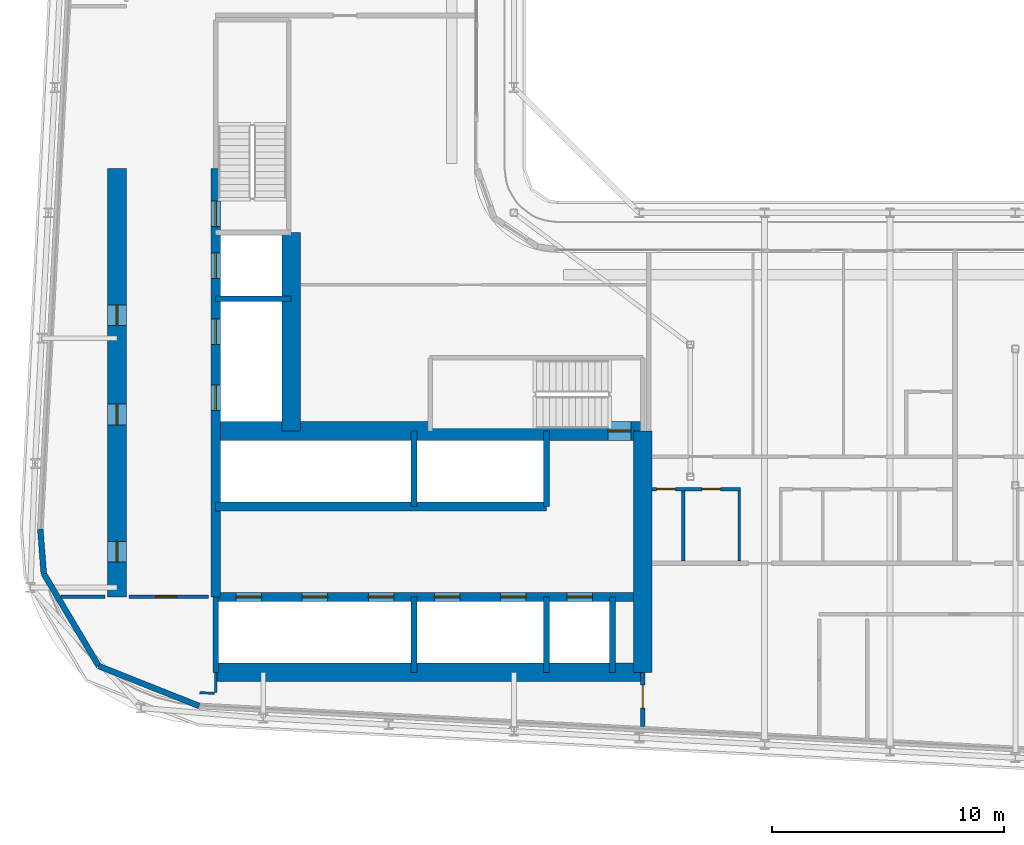
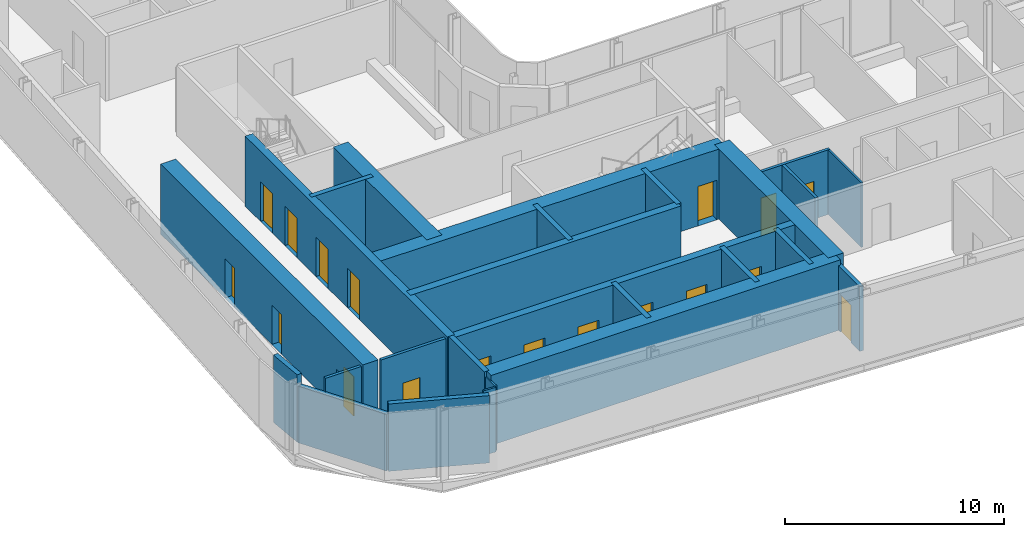
# One storey, part 15 of 30: 26 walls, 18 doors, 18 openings.
"""IFC4 building model written with IfcOpenShell, lengths in metres."""

import ifcopenshell
import ifcopenshell.guid

model = None  # the IFC model being written
_history = None  # IfcOwnerHistory: only IFC2X3 demands one
_inside = {}  # id of a spatial element -> (the spatial element, [elements in it])
_under = {}  # id of a project, library or spatial element -> (it, [spatial elements below it])
_declared = {}  # id of a project -> (the project, [libraries it declares])
_typed = {}  # id of a type object -> (the type object, [elements of that type])
_made_of = {}  # id of a material, layer set ... -> (it, [elements and type objects made of it])


def new_model(schema):
    """Start an empty IFC model of exactly this schema.

    Asked for "IFC4X3", IfcOpenShell would pick the latest addendum, in which some entities
    have other attributes; the version numbers below select the first issue.
    IFC2X3 requires an IfcOwnerHistory on every rooted entity: one is made here for all.
    """
    global model, _history
    if schema == "IFC4X3":
        model = ifcopenshell.file(schema_version=(4, 3, 0, 0))
    else:
        model = ifcopenshell.file(schema=schema)
    _inside.clear()
    _under.clear()
    _declared.clear()
    _typed.clear()
    _made_of.clear()
    _history = None
    if model.schema == "IFC2X3":
        org = make("IfcOrganization", Name="unknown")
        user = make(
            "IfcPersonAndOrganization",
            ThePerson=make("IfcPerson", FamilyName="unknown"),
            TheOrganization=org,
        )
        app = make(
            "IfcApplication",
            ApplicationDeveloper=org,
            Version="unknown",
            ApplicationFullName="unknown",
            ApplicationIdentifier="unknown",
        )
        _history = make(
            "IfcOwnerHistory",
            OwningUser=user,
            OwningApplication=app,
            ChangeAction="ADDED",
            CreationDate=0,
        )
    return model


def make(cls, **values):
    """One entity of the class cls with the attributes given. An attribute that is None is left unset."""
    return model.create_entity(
        cls, **{name: value for name, value in values.items() if value is not None}
    )


def rooted(cls, **values):
    """An entity with a GlobalId (a new one), such as an element, a storey or a relation."""
    return make(cls, GlobalId=ifcopenshell.guid.new(), OwnerHistory=_history, **values)


def si_unit(unit_type, name, prefix=None):
    """IfcSIUnit, for example si_unit("LENGTHUNIT", "METRE", prefix="MILLI")."""
    return make("IfcSIUnit", UnitType=unit_type, Prefix=prefix, Name=name)


def assignment(units):
    """IfcUnitAssignment: the units of a project."""
    return None if units is None else make("IfcUnitAssignment", Units=units)


def point(xyz):
    """IfcCartesianPoint."""
    return None if xyz is None else make("IfcCartesianPoint", Coordinates=xyz)


def direction(xyz):
    """IfcDirection."""
    return None if xyz is None else make("IfcDirection", DirectionRatios=xyz)


def frame(location, z_axis=None, x_axis=None):
    """IfcAxis2Placement3D, a coordinate frame: its origin and axes. An axis left out is left unset."""
    return make(
        "IfcAxis2Placement3D",
        Location=point(location),
        Axis=direction(z_axis),
        RefDirection=direction(x_axis),
    )


def frame_2d(location, x_axis=None):
    """IfcAxis2Placement2D, a coordinate frame in the plane: its origin and x axis."""
    return make(
        "IfcAxis2Placement2D", Location=point(location), RefDirection=direction(x_axis)
    )


def origin():
    """The frame at (0, 0, 0) with its axes left unset."""
    return frame((0.0, 0.0, 0.0))


def place(relative_to, where):
    """IfcLocalPlacement: puts the frame where relative to a parent placement (None: the world)."""
    return make(
        "IfcLocalPlacement", PlacementRelTo=relative_to, RelativePlacement=where
    )


def context(
    kind, dimensions, precision=None, world=None, true_north=None, identifier=None
):
    """IfcGeometricRepresentationContext, for example the 3D "Model" context."""
    return make(
        "IfcGeometricRepresentationContext",
        ContextIdentifier=identifier,
        ContextType=kind,
        CoordinateSpaceDimension=dimensions,
        Precision=precision,
        WorldCoordinateSystem=world,
        TrueNorth=true_north,
    )


def subcontext(parent, identifier, kind, view, scale=None):
    """IfcGeometricRepresentationSubContext, for example "Body" below "Model"."""
    return make(
        "IfcGeometricRepresentationSubContext",
        ContextIdentifier=identifier,
        ContextType=kind,
        ParentContext=parent,
        TargetScale=scale,
        TargetView=view,
    )


def project(units=None, contexts=None):
    """IfcProject with its units and contexts."""
    return rooted(
        "IfcProject",
        Name="project",
        RepresentationContexts=contexts,
        UnitsInContext=assignment(units),
    )


def spatial(cls, under=None, at=None, **own):
    """A site, building, storey or space (cls), placed at a placement, below another one or the project."""
    s = rooted(cls, ObjectPlacement=at, **own)
    if under is not None:
        _under.setdefault(under.id(), (under, []))[1].append(s)
    return s


def profile(cls, at=None, kind="AREA", **sizes):
    """A parametric profile (cls). Its sizes go by their IFC names, for example OverallWidth=200.0."""
    return make(cls, ProfileType=kind, Position=at, **sizes)


def rectangle(**sizes):
    """IfcRectangleProfileDef."""
    return profile("IfcRectangleProfileDef", **sizes)


def extrude(swept, where, along, depth):
    """IfcExtrudedAreaSolid: the profile swept, set in the frame where, extruded along a direction by depth."""
    return make(
        "IfcExtrudedAreaSolid",
        SweptArea=swept,
        Position=where,
        ExtrudedDirection=direction(along),
        Depth=depth,
    )


def shape(context_of_items, identifier, shape_type, items):
    """IfcShapeRepresentation: the items that make up one representation, for example the "Body"."""
    return make(
        "IfcShapeRepresentation",
        ContextOfItems=context_of_items,
        RepresentationIdentifier=identifier,
        RepresentationType=shape_type,
        Items=items,
    )


def source(mapping_origin, context_of_items, identifier, shape_type, items):
    """IfcRepresentationMap: a shape defined once, which mapped items show again and again."""
    return make(
        "IfcRepresentationMap",
        MappingOrigin=mapping_origin,
        MappedRepresentation=shape(context_of_items, identifier, shape_type, items),
    )


def transform(
    local_origin,
    x_axis=None,
    y_axis=None,
    z_axis=None,
    scale=None,
    scale2=None,
    scale3=None,
    uniform=True,
):
    """IfcCartesianTransformationOperator3D, or its non-uniform kind. x_axis, y_axis, z_axis: its Axis1, 2, 3."""
    if uniform:
        return make(
            "IfcCartesianTransformationOperator3D",
            Axis1=direction(x_axis),
            Axis2=direction(y_axis),
            LocalOrigin=point(local_origin),
            Scale=scale,
            Axis3=direction(z_axis),
        )
    return make(
        "IfcCartesianTransformationOperator3DnonUniform",
        Axis1=direction(x_axis),
        Axis2=direction(y_axis),
        LocalOrigin=point(local_origin),
        Scale=scale,
        Axis3=direction(z_axis),
        Scale2=scale2,
        Scale3=scale3,
    )


def mapped(mapping_source, mapping_target):
    """IfcMappedItem: shows the shape of a source again, moved by a transform."""
    return make(
        "IfcMappedItem", MappingSource=mapping_source, MappingTarget=mapping_target
    )


def material(Name=None, Category=None):
    """IfcMaterial."""
    return make("IfcMaterial", Name=Name, Category=Category)


def layer(
    of_material, thickness, ventilated=None, Name=None, Category=None, Priority=None
):
    """IfcMaterialLayer: one layer of a wall or slab, of a material (None: an air gap)."""
    return make(
        "IfcMaterialLayer",
        Material=of_material,
        LayerThickness=thickness,
        IsVentilated=ventilated,
        Name=Name,
        Category=Category,
        Priority=Priority,
    )


def layer_set(layers, Name=None):
    """IfcMaterialLayerSet."""
    return make("IfcMaterialLayerSet", MaterialLayers=layers, LayerSetName=Name)


def made_of(thing, what):
    """Note that an element or type object is made of a material, layer set ...; save() writes the relation."""
    if what is not None:
        _made_of.setdefault(what.id(), (what, []))[1].append(thing)
    return thing


def type_object(cls, material=None, **own):
    """A type object (cls), such as IfcWallType, which elements share."""
    return made_of(rooted(cls, **own), material)


def element(
    cls,
    number,
    at=None,
    inside=None,
    cuts=None,
    type_object=None,
    material=None,
    context=None,
    identifier="Body",
    shape_type=None,
    held_by="IfcProductDefinitionShape",
    body=None,
    shapes=None,
    **own,
):
    """One element of the class cls, such as IfcWall. Its Tag is "e" and its number.

    at: its placement. inside: the storey or other place that contains it. cuts: it is an
    opening in that element (IfcRelVoidsElement). A single representation is given by context,
    identifier, shape_type and body (its items); several are given by shapes. held_by: the class
    of the entity that holds the representations. save() writes the other relations.
    """
    e = rooted(cls, Tag="e%d" % number, ObjectPlacement=at, **own)
    if body is not None:
        shapes = [shape(context, identifier, shape_type, body)]
    if shapes is not None:
        e.Representation = make(held_by, Representations=shapes)
    if inside is not None:
        _inside.setdefault(inside.id(), (inside, []))[1].append(e)
    if cuts is not None:
        rooted(
            "IfcRelVoidsElement", RelatingBuildingElement=cuts, RelatedOpeningElement=e
        )
    if type_object is not None:
        _typed.setdefault(type_object.id(), (type_object, []))[1].append(e)
    return made_of(e, material)


def fill(opening, filler):
    """IfcRelFillsElement: the door or window that sits in an opening."""
    return rooted(
        "IfcRelFillsElement",
        RelatingOpeningElement=opening,
        RelatedBuildingElement=filler,
    )


def aggregate(whole, parts):
    """IfcRelAggregates: a whole, such as a stair, and the parts it consists of."""
    return rooted("IfcRelAggregates", RelatingObject=whole, RelatedObjects=parts)


def save(model, path):
    """Write the relations noted so far, then the file.

    IfcRelAggregates (storeys below a building ...), IfcRelContainedInSpatialStructure (elements
    in a storey), IfcRelDefinesByType, IfcRelAssociatesMaterial and IfcRelDeclares: one each for
    every whole, place, type object, material and project.
    """
    for whole, parts in _under.values():
        aggregate(whole, parts)
    for where, things in _inside.values():
        rooted(
            "IfcRelContainedInSpatialStructure",
            RelatedElements=things,
            RelatingStructure=where,
        )
    for kind, things in _typed.values():
        rooted("IfcRelDefinesByType", RelatedObjects=things, RelatingType=kind)
    for what, things in _made_of.values():
        rooted("IfcRelAssociatesMaterial", RelatedObjects=things, RelatingMaterial=what)
    for by, libraries in _declared.values():
        rooted("IfcRelDeclares", RelatingContext=by, RelatedDefinitions=libraries)
    model.write(path)


model = new_model("IFC4")

# Units and contexts
model_context = context("Model", 3, precision=1e-05, world=origin(), true_north=direction((0.0, 1.0)))
body_context = subcontext(model_context, "Body", "Model", "MODEL_VIEW")
ifc_project = project(units=[si_unit("LENGTHUNIT", "METRE"), si_unit("AREAUNIT", "SQUARE_METRE"), si_unit("VOLUMEUNIT", "CUBIC_METRE"), si_unit("PLANEANGLEUNIT", "RADIAN"), si_unit("MASSUNIT", "GRAM", prefix="KILO")], contexts=[model_context])

# Site, building, storey
site_placement = place(None, origin())
site = spatial("IfcSite", under=ifc_project, at=site_placement, CompositionType="ELEMENT")
building_placement = place(site_placement, origin())
building = spatial("IfcBuilding", under=site, at=building_placement, Name="Kheshtan School and Residences Tower", CompositionType="ELEMENT")
storey_placement = place(building_placement, frame((0.0, 0.0, 164.300048828125)))
storey = spatial("IfcBuildingStorey", under=building, at=storey_placement, Name="L38", CompositionType="ELEMENT", Elevation=164.300048828125)

# Wall, openings, doors
ifc_material_1 = material(Name="Concrete C50/60", Category="concrete")
ifc_layer_1 = layer(ifc_material_1, 0.39990234375)
ifc_layer_set_1 = layer_set([ifc_layer_1], Name="Core wall 400 Concrete C50/60")
wall_type_1 = type_object("IfcWallType", Name="Core wall 400 Concrete C50/60", PredefinedType="SHEAR", material=ifc_layer_set_1)
wall_1_placement = place(storey_placement, frame((34.75, 29.050048828125, 0.0), z_axis=(0.0, 0.0, 1.0), x_axis=(1.0, 0.0, 0.0)))
wall_1 = element("IfcWall", 1, at=wall_1_placement, inside=storey, type_object=wall_type_1, Name="Core wall CW-HALL-S1", PredefinedType="SHEAR", context=body_context, shape_type="SweptSolid", body=[
    extrude(rectangle(XDim=18.39990234375, YDim=0.39990234375, at=frame_2d((9.199951171875, 0.0))), origin(), (0.0, 0.0, 1.0), 3.89990234375),
])
opening_1_placement = place(wall_1_placement, frame((0.875, 0.0, 0.0)))
opening_1 = element("IfcOpeningElement", 2, at=opening_1_placement, cuts=wall_1, Name="Opening LD", PredefinedType="OPENING", context=body_context, shape_type="SweptSolid", body=[
    extrude(rectangle(XDim=1.10009765625, YDim=2.199951171875, at=frame_2d((0.550048828125, 1.10009765625))), frame((0.0, 0.2099609375, 0.0), z_axis=(0.0, -1.0, 0.0), x_axis=(1.0, 0.0, 0.0)), (0.0, 0.0, 1.0), 0.419921875),
])
opening_2_placement = place(wall_1_placement, frame((3.72509765625, 0.0, 0.0)))
opening_2 = element("IfcOpeningElement", 3, at=opening_2_placement, cuts=wall_1, Name="Opening LD", PredefinedType="OPENING", context=body_context, shape_type="SweptSolid", body=[
    extrude(rectangle(XDim=1.10009765625, YDim=2.199951171875, at=frame_2d((0.550048828125, 1.10009765625))), frame((0.0, 0.2099609375, 0.0), z_axis=(0.0, -1.0, 0.0), x_axis=(1.0, 0.0, 0.0)), (0.0, 0.0, 1.0), 0.419921875),
])
opening_3_placement = place(wall_1_placement, frame((6.574951171875, 0.0, 0.0)))
opening_3 = element("IfcOpeningElement", 4, at=opening_3_placement, cuts=wall_1, Name="Opening LD", PredefinedType="OPENING", context=body_context, shape_type="SweptSolid", body=[
    extrude(rectangle(XDim=1.10009765625, YDim=2.199951171875, at=frame_2d((0.550048828125, 1.10009765625))), frame((0.0, 0.2099609375, 0.0), z_axis=(0.0, -1.0, 0.0), x_axis=(1.0, 0.0, 0.0)), (0.0, 0.0, 1.0), 0.419921875),
])
opening_4_placement = place(wall_1_placement, frame((9.425048828125, 0.0, 0.0)))
opening_4 = element("IfcOpeningElement", 5, at=opening_4_placement, cuts=wall_1, Name="Opening LD", PredefinedType="OPENING", context=body_context, shape_type="SweptSolid", body=[
    extrude(rectangle(XDim=1.10009765625, YDim=2.199951171875, at=frame_2d((0.550048828125, 1.10009765625))), frame((0.0, 0.2099609375, 0.0), z_axis=(0.0, -1.0, 0.0), x_axis=(1.0, 0.0, 0.0)), (0.0, 0.0, 1.0), 0.419921875),
])
opening_5_placement = place(wall_1_placement, frame((12.27490234375, 0.0, 0.0)))
opening_5 = element("IfcOpeningElement", 6, at=opening_5_placement, cuts=wall_1, Name="Opening LD", PredefinedType="OPENING", context=body_context, shape_type="SweptSolid", body=[
    extrude(rectangle(XDim=1.10009765625, YDim=2.199951171875, at=frame_2d((0.550048828125, 1.10009765625))), frame((0.0, 0.2099609375, 0.0), z_axis=(0.0, -1.0, 0.0), x_axis=(1.0, 0.0, 0.0)), (0.0, 0.0, 1.0), 0.419921875),
])
opening_6_placement = place(wall_1_placement, frame((15.125, 0.0, 0.0)))
opening_6 = element("IfcOpeningElement", 7, at=opening_6_placement, cuts=wall_1, Name="Opening LD", PredefinedType="OPENING", context=body_context, shape_type="SweptSolid", body=[
    extrude(rectangle(XDim=1.10009765625, YDim=2.199951171875, at=frame_2d((0.550048828125, 1.10009765625))), frame((0.0, 0.2099609375, 0.0), z_axis=(0.0, -1.0, 0.0), x_axis=(1.0, 0.0, 0.0)), (0.0, 0.0, 1.0), 0.419921875),
])
ifc_material_2 = material(Name="Stainless steel door leaves", Category="steel")
door_type_1 = type_object("IfcDoorType", Name="Lift landing door 1100", OperationType="SLIDING_TO_LEFT", PredefinedType="DOOR", material=ifc_material_2)
shared_shape_1 = source(origin(), body_context, "Body", "SweptSolid", [
    extrude(rectangle(XDim=1.10009765625, YDim=2.199951171875, at=frame_2d((0.550048828125, 1.10009765625))), frame((0.0, 0.02490234375, 0.0), z_axis=(0.0, -1.0, 0.0), x_axis=(1.0, 0.0, 0.0)), (0.0, 0.0, 1.0), 0.050048828125),
])
door_1_placement = place(opening_1_placement, origin())
door_1 = element("IfcDoor", 8, at=door_1_placement, inside=storey, type_object=door_type_1, Name="Lift P7 landing door", OperationType="SLIDING_TO_LEFT", OverallHeight=2.199951171875, OverallWidth=1.10009765625, PredefinedType="DOOR", context=body_context, shape_type="MappedRepresentation", body=[
    mapped(shared_shape_1, transform((0.0, 0.0, 0.0), x_axis=(1.0, 0.0, 0.0), y_axis=(0.0, 1.0, 0.0), z_axis=(0.0, 0.0, 1.0), scale=1.0)),
])
fill(opening_1, door_1)
door_2_placement = place(opening_2_placement, origin())
door_2 = element("IfcDoor", 9, at=door_2_placement, inside=storey, type_object=door_type_1, Name="Lift P8 landing door", OperationType="SLIDING_TO_LEFT", OverallHeight=2.199951171875, OverallWidth=1.10009765625, PredefinedType="DOOR", context=body_context, shape_type="MappedRepresentation", body=[
    mapped(shared_shape_1, transform((0.0, 0.0, 0.0), x_axis=(1.0, 0.0, 0.0), y_axis=(0.0, 1.0, 0.0), z_axis=(0.0, 0.0, 1.0), scale=1.0)),
])
fill(opening_2, door_2)
door_3_placement = place(opening_3_placement, origin())
door_3 = element("IfcDoor", 10, at=door_3_placement, inside=storey, type_object=door_type_1, Name="Lift P9 landing door", OperationType="SLIDING_TO_LEFT", OverallHeight=2.199951171875, OverallWidth=1.10009765625, PredefinedType="DOOR", context=body_context, shape_type="MappedRepresentation", body=[
    mapped(shared_shape_1, transform((0.0, 0.0, 0.0), x_axis=(1.0, 0.0, 0.0), y_axis=(0.0, 1.0, 0.0), z_axis=(0.0, 0.0, 1.0), scale=1.0)),
])
fill(opening_3, door_3)
door_4_placement = place(opening_4_placement, origin())
door_4 = element("IfcDoor", 11, at=door_4_placement, inside=storey, type_object=door_type_1, Name="Lift P10 landing door", OperationType="SLIDING_TO_LEFT", OverallHeight=2.199951171875, OverallWidth=1.10009765625, PredefinedType="DOOR", context=body_context, shape_type="MappedRepresentation", body=[
    mapped(shared_shape_1, transform((0.0, 0.0, 0.0), x_axis=(1.0, 0.0, 0.0), y_axis=(0.0, 1.0, 0.0), z_axis=(0.0, 0.0, 1.0), scale=1.0)),
])
fill(opening_4, door_4)
door_5_placement = place(opening_5_placement, origin())
door_5 = element("IfcDoor", 12, at=door_5_placement, inside=storey, type_object=door_type_1, Name="Lift P11 landing door", OperationType="SLIDING_TO_LEFT", OverallHeight=2.199951171875, OverallWidth=1.10009765625, PredefinedType="DOOR", context=body_context, shape_type="MappedRepresentation", body=[
    mapped(shared_shape_1, transform((0.0, 0.0, 0.0), x_axis=(1.0, 0.0, 0.0), y_axis=(0.0, 1.0, 0.0), z_axis=(0.0, 0.0, 1.0), scale=1.0)),
])
fill(opening_5, door_5)
door_6_placement = place(opening_6_placement, origin())
door_6 = element("IfcDoor", 13, at=door_6_placement, inside=storey, type_object=door_type_1, Name="Lift FFL2 landing door", OperationType="SLIDING_TO_LEFT", OverallHeight=2.199951171875, OverallWidth=1.10009765625, PredefinedType="DOOR", context=body_context, shape_type="MappedRepresentation", body=[
    mapped(shared_shape_1, transform((0.0, 0.0, 0.0), x_axis=(1.0, 0.0, 0.0), y_axis=(0.0, 1.0, 0.0), z_axis=(0.0, 0.0, 1.0), scale=1.0)),
])
fill(opening_6, door_6)

# Wall
wall_2_placement = place(storey_placement, frame((34.75, 32.949951171875, 0.0), z_axis=(0.0, 0.0, 1.0), x_axis=(1.0, 0.0, 0.0)))
element("IfcWall", 14, at=wall_2_placement, inside=storey, type_object=wall_type_1, Name="Core wall CW-HALL-S2", PredefinedType="SHEAR", context=body_context, shape_type="SweptSolid", body=[
    extrude(rectangle(XDim=14.25, YDim=0.39990234375, at=frame_2d((7.125, 0.0))), origin(), (0.0, 0.0, 1.0), 3.89990234375),
])

# Wall, openings, doors
wall_3_placement = place(storey_placement, frame((34.75, 29.050048828125, 0.0), z_axis=(0.0, 0.0, 1.0), x_axis=(0.0, 1.0, 0.0)))
wall_3 = element("IfcWall", 15, at=wall_3_placement, inside=storey, type_object=wall_type_1, Name="Core wall CW-HALL-W1", PredefinedType="SHEAR", context=body_context, shape_type="SweptSolid", body=[
    extrude(rectangle(XDim=18.449951171875, YDim=0.39990234375, at=frame_2d((9.22509765625, 0.0))), origin(), (0.0, 0.0, 1.0), 3.89990234375),
])
opening_7_placement = place(wall_3_placement, frame((8.02490234375, 0.0, 0.0)))
opening_7 = element("IfcOpeningElement", 16, at=opening_7_placement, cuts=wall_3, Name="Opening LD", PredefinedType="OPENING", context=body_context, shape_type="SweptSolid", body=[
    extrude(rectangle(XDim=1.10009765625, YDim=2.199951171875, at=frame_2d((0.550048828125, 1.10009765625))), frame((0.0, 0.2099609375, 0.0), z_axis=(0.0, -1.0, 0.0), x_axis=(1.0, 0.0, 0.0)), (0.0, 0.0, 1.0), 0.419921875),
])
opening_8_placement = place(wall_3_placement, frame((10.875, 0.0, 0.0)))
opening_8 = element("IfcOpeningElement", 17, at=opening_8_placement, cuts=wall_3, Name="Opening LD", PredefinedType="OPENING", context=body_context, shape_type="SweptSolid", body=[
    extrude(rectangle(XDim=1.10009765625, YDim=2.199951171875, at=frame_2d((0.550048828125, 1.10009765625))), frame((0.0, 0.2099609375, 0.0), z_axis=(0.0, -1.0, 0.0), x_axis=(1.0, 0.0, 0.0)), (0.0, 0.0, 1.0), 0.419921875),
])
opening_9_placement = place(wall_3_placement, frame((13.72509765625, 0.0, 0.0)))
opening_9 = element("IfcOpeningElement", 18, at=opening_9_placement, cuts=wall_3, Name="Opening LD", PredefinedType="OPENING", context=body_context, shape_type="SweptSolid", body=[
    extrude(rectangle(XDim=1.10009765625, YDim=2.199951171875, at=frame_2d((0.550048828125, 1.10009765625))), frame((0.0, 0.2099609375, 0.0), z_axis=(0.0, -1.0, 0.0), x_axis=(1.0, 0.0, 0.0)), (0.0, 0.0, 1.0), 0.419921875),
])
opening_10_placement = place(wall_3_placement, frame((15.949951171875, 0.0, 0.0)))
opening_10 = element("IfcOpeningElement", 19, at=opening_10_placement, cuts=wall_3, Name="Opening ST2D", PredefinedType="OPENING", context=body_context, shape_type="SweptSolid", body=[
    extrude(rectangle(XDim=1.10009765625, YDim=2.199951171875, at=frame_2d((0.550048828125, 1.10009765625))), frame((0.0, 0.2099609375, 0.0), z_axis=(0.0, -1.0, 0.0), x_axis=(1.0, 0.0, 0.0)), (0.0, 0.0, 1.0), 0.419921875),
])
door_7_placement = place(opening_7_placement, origin())
door_7 = element("IfcDoor", 20, at=door_7_placement, inside=storey, type_object=door_type_1, Name="Lift SV1 landing door", OperationType="SLIDING_TO_LEFT", OverallHeight=2.199951171875, OverallWidth=1.10009765625, PredefinedType="DOOR", context=body_context, shape_type="MappedRepresentation", body=[
    mapped(shared_shape_1, transform((0.0, 0.0, 0.0), x_axis=(1.0, 0.0, 0.0), y_axis=(0.0, 1.0, 0.0), z_axis=(0.0, 0.0, 1.0), scale=1.0)),
])
fill(opening_7, door_7)
door_8_placement = place(opening_8_placement, origin())
door_8 = element("IfcDoor", 21, at=door_8_placement, inside=storey, type_object=door_type_1, Name="Lift SV2 landing door", OperationType="SLIDING_TO_LEFT", OverallHeight=2.199951171875, OverallWidth=1.10009765625, PredefinedType="DOOR", context=body_context, shape_type="MappedRepresentation", body=[
    mapped(shared_shape_1, transform((0.0, 0.0, 0.0), x_axis=(1.0, 0.0, 0.0), y_axis=(0.0, 1.0, 0.0), z_axis=(0.0, 0.0, 1.0), scale=1.0)),
])
fill(opening_8, door_8)
door_9_placement = place(opening_9_placement, origin())
door_9 = element("IfcDoor", 22, at=door_9_placement, inside=storey, type_object=door_type_1, Name="Lift FFL1 landing door", OperationType="SLIDING_TO_LEFT", OverallHeight=2.199951171875, OverallWidth=1.10009765625, PredefinedType="DOOR", context=body_context, shape_type="MappedRepresentation", body=[
    mapped(shared_shape_1, transform((0.0, 0.0, 0.0), x_axis=(1.0, 0.0, 0.0), y_axis=(0.0, 1.0, 0.0), z_axis=(0.0, 0.0, 1.0), scale=1.0)),
])
fill(opening_9, door_9)
ifc_material_3 = material(Name="Steel door leaf, galvanised", Category="steel")
door_type_2 = type_object("IfcDoorType", Name="Stair door 1100 steel 90 min", OperationType="SINGLE_SWING_LEFT", PredefinedType="DOOR", material=ifc_material_3)
shared_shape_2 = source(origin(), body_context, "Body", "SweptSolid", [
    extrude(rectangle(XDim=1.10009765625, YDim=2.199951171875, at=frame_2d((0.550048828125, 1.10009765625))), frame((0.0, 0.02490234375, 0.0), z_axis=(0.0, -1.0, 0.0), x_axis=(1.0, 0.0, 0.0)), (0.0, 0.0, 1.0), 0.050048828125),
])
door_10_placement = place(opening_10_placement, origin())
door_10 = element("IfcDoor", 23, at=door_10_placement, inside=storey, type_object=door_type_2, Name="Stair ST2 door", OperationType="SINGLE_SWING_RIGHT", OverallHeight=2.199951171875, OverallWidth=1.10009765625, PredefinedType="DOOR", context=body_context, shape_type="MappedRepresentation", body=[
    mapped(shared_shape_2, transform((0.0, 0.0, 0.0), x_axis=(1.0, 0.0, 0.0), y_axis=(0.0, 1.0, 0.0), z_axis=(0.0, 0.0, 1.0), scale=1.0)),
])
fill(opening_10, door_10)

# Wall
ifc_material_4 = material(Name="Concrete C70/85", Category="concrete")
ifc_layer_2 = layer(ifc_material_4, 0.800048828125)
ifc_layer_set_2 = layer_set([ifc_layer_2], Name="Core wall 800 Concrete C70/85")
wall_type_2 = type_object("IfcWallType", Name="Core wall 800 Concrete C70/85", PredefinedType="SHEAR", material=ifc_layer_set_2)
wall_4_placement = place(storey_placement, frame((34.75, 25.800048828125, 0.0), z_axis=(0.0, 0.0, 1.0), x_axis=(1.0, 0.0, 0.0)))
element("IfcWall", 24, at=wall_4_placement, inside=storey, type_object=wall_type_2, Name="Core wall CW-REAR-S", PredefinedType="SHEAR", context=body_context, shape_type="SweptSolid", body=[
    extrude(rectangle(XDim=18.39990234375, YDim=0.800048828125, at=frame_2d((9.199951171875, 0.0))), origin(), (0.0, 0.0, 1.0), 3.89990234375),
])

# Wall, opening, door
wall_5_placement = place(storey_placement, frame((34.75, 36.199951171875, 0.0), z_axis=(0.0, 0.0, 1.0), x_axis=(1.0, 0.0, 0.0)))
wall_5 = element("IfcWall", 25, at=wall_5_placement, inside=storey, type_object=wall_type_2, Name="Core wall CW-FRONT-S", PredefinedType="SHEAR", context=body_context, shape_type="SweptSolid", body=[
    extrude(rectangle(XDim=18.39990234375, YDim=0.800048828125, at=frame_2d((9.199951171875, 0.0))), origin(), (0.0, 0.0, 1.0), 3.89990234375),
])
opening_11_placement = place(wall_5_placement, frame((16.89990234375, 0.0, 0.0)))
opening_11 = element("IfcOpeningElement", 26, at=opening_11_placement, cuts=wall_5, Name="Opening ST1D", PredefinedType="OPENING", context=body_context, shape_type="SweptSolid", body=[
    extrude(rectangle(XDim=1.0, YDim=2.199951171875, at=frame_2d((0.5, 1.10009765625))), frame((0.0, 0.41015625, 0.0), z_axis=(0.0, -1.0, 0.0), x_axis=(1.0, 0.0, 0.0)), (0.0, 0.0, 1.0), 0.820068359375),
])
shared_shape_3 = source(origin(), body_context, "Body", "SweptSolid", [
    extrude(rectangle(XDim=1.0, YDim=2.199951171875, at=frame_2d((0.5, 1.10009765625))), frame((0.0, 0.02490234375, 0.0), z_axis=(0.0, -1.0, 0.0), x_axis=(1.0, 0.0, 0.0)), (0.0, 0.0, 1.0), 0.050048828125),
])
door_11_placement = place(opening_11_placement, origin())
door_11 = element("IfcDoor", 27, at=door_11_placement, inside=storey, type_object=door_type_2, Name="Stair ST1 door", OperationType="SINGLE_SWING_RIGHT", OverallHeight=2.199951171875, OverallWidth=1.0, PredefinedType="DOOR", context=body_context, shape_type="MappedRepresentation", body=[
    mapped(shared_shape_3, transform((0.0, 0.0, 0.0), x_axis=(1.0, 0.0, 0.0), y_axis=(0.0, 1.0, 0.0), z_axis=(0.0, 0.0, 1.0), scale=1.0)),
])
fill(opening_11, door_11)

# Wall
wall_6_placement = place(storey_placement, frame((38.0, 36.199951171875, 0.0), z_axis=(0.0, 0.0, 1.0), x_axis=(0.0, 1.0, 0.0)))
element("IfcWall", 28, at=wall_6_placement, inside=storey, type_object=wall_type_2, Name="Core wall CW-FRONT-W", PredefinedType="SHEAR", context=body_context, shape_type="SweptSolid", body=[
    extrude(rectangle(XDim=8.550048828125, YDim=0.800048828125, at=frame_2d((4.27490234375, 0.0))), origin(), (0.0, 0.0, 1.0), 3.89990234375),
])

# Wall, openings, doors
wall_7_placement = place(storey_placement, frame((30.5, 29.050048828125, 0.0), z_axis=(0.0, 0.0, 1.0), x_axis=(0.0, 1.0, 0.0)))
wall_7 = element("IfcWall", 29, at=wall_7_placement, inside=storey, type_object=wall_type_2, Name="Core wall CW-REAR-W", PredefinedType="SHEAR", context=body_context, shape_type="SweptSolid", body=[
    extrude(rectangle(XDim=18.449951171875, YDim=0.800048828125, at=frame_2d((9.22509765625, 0.0))), origin(), (0.0, 0.0, 1.0), 3.89990234375),
])
opening_12_placement = place(wall_7_placement, frame((1.5, 0.0, 0.0)))
opening_12 = element("IfcOpeningElement", 30, at=opening_12_placement, cuts=wall_7, Name="Opening SR90", PredefinedType="OPENING", context=body_context, shape_type="SweptSolid", body=[
    extrude(rectangle(XDim=0.89990234375, YDim=2.199951171875, at=frame_2d((0.449951171875, 1.10009765625))), frame((0.0, 0.41015625, 0.0), z_axis=(0.0, -1.0, 0.0), x_axis=(1.0, 0.0, 0.0)), (0.0, 0.0, 1.0), 0.820068359375),
])
opening_13_placement = place(wall_7_placement, frame((7.406005859375, 0.0, 0.0)))
opening_13 = element("IfcOpeningElement", 31, at=opening_13_placement, cuts=wall_7, Name="Opening SR90", PredefinedType="OPENING", context=body_context, shape_type="SweptSolid", body=[
    extrude(rectangle(XDim=0.89990234375, YDim=2.199951171875, at=frame_2d((0.449951171875, 1.10009765625))), frame((0.0, 0.41015625, 0.0), z_axis=(0.0, -1.0, 0.0), x_axis=(1.0, 0.0, 0.0)), (0.0, 0.0, 1.0), 0.820068359375),
])
opening_14_placement = place(wall_7_placement, frame((11.68798828125, 0.0, 0.0)))
opening_14 = element("IfcOpeningElement", 32, at=opening_14_placement, cuts=wall_7, Name="Opening SR90", PredefinedType="OPENING", context=body_context, shape_type="SweptSolid", body=[
    extrude(rectangle(XDim=0.89990234375, YDim=2.199951171875, at=frame_2d((0.449951171875, 1.10009765625))), frame((0.0, 0.41015625, 0.0), z_axis=(0.0, -1.0, 0.0), x_axis=(1.0, 0.0, 0.0)), (0.0, 0.0, 1.0), 0.820068359375),
])
door_type_3 = type_object("IfcDoorType", Name="Service room door 900 steel 90 min", OperationType="SINGLE_SWING_LEFT", PredefinedType="DOOR", material=ifc_material_3)
shared_shape_4 = source(origin(), body_context, "Body", "SweptSolid", [
    extrude(rectangle(XDim=0.89990234375, YDim=2.199951171875, at=frame_2d((0.449951171875, 1.10009765625))), frame((0.0, 0.02490234375, 0.0), z_axis=(0.0, -1.0, 0.0), x_axis=(1.0, 0.0, 0.0)), (0.0, 0.0, 1.0), 0.050048828125),
])
door_12_placement = place(opening_12_placement, origin())
door_12 = element("IfcDoor", 33, at=door_12_placement, inside=storey, type_object=door_type_3, Name="Service room door", OperationType="SINGLE_SWING_LEFT", OverallHeight=2.199951171875, OverallWidth=0.89990234375, PredefinedType="DOOR", context=body_context, shape_type="MappedRepresentation", body=[
    mapped(shared_shape_4, transform((0.0, 0.0, 0.0), x_axis=(1.0, 0.0, 0.0), y_axis=(0.0, 1.0, 0.0), z_axis=(0.0, 0.0, 1.0), scale=1.0)),
])
fill(opening_12, door_12)
door_13_placement = place(opening_13_placement, origin())
door_13 = element("IfcDoor", 34, at=door_13_placement, inside=storey, type_object=door_type_3, Name="Service room door", OperationType="SINGLE_SWING_RIGHT", OverallHeight=2.199951171875, OverallWidth=0.89990234375, PredefinedType="DOOR", context=body_context, shape_type="MappedRepresentation", body=[
    mapped(shared_shape_4, transform((0.0, 0.0, 0.0), x_axis=(1.0, 0.0, 0.0), y_axis=(0.0, 1.0, 0.0), z_axis=(0.0, 0.0, 1.0), scale=1.0)),
])
fill(opening_13, door_13)
door_14_placement = place(opening_14_placement, origin())
door_14 = element("IfcDoor", 35, at=door_14_placement, inside=storey, type_object=door_type_3, Name="Service room door", OperationType="SINGLE_SWING_LEFT", OverallHeight=2.199951171875, OverallWidth=0.89990234375, PredefinedType="DOOR", context=body_context, shape_type="MappedRepresentation", body=[
    mapped(shared_shape_4, transform((0.0, 0.0, 0.0), x_axis=(1.0, 0.0, 0.0), y_axis=(0.0, 1.0, 0.0), z_axis=(0.0, 0.0, 1.0), scale=1.0)),
])
fill(opening_14, door_14)

# Wall
wall_8_placement = place(storey_placement, frame((53.14990234375, 25.800048828125, 0.0), z_axis=(0.0, 0.0, 1.0), x_axis=(0.0, 1.0, 0.0)))
element("IfcWall", 36, at=wall_8_placement, inside=storey, type_object=wall_type_2, Name="Core wall CW-EAST", PredefinedType="SHEAR", context=body_context, shape_type="SweptSolid", body=[
    extrude(rectangle(XDim=10.39990234375, YDim=0.800048828125, at=frame_2d((5.199951171875, 0.0))), origin(), (0.0, 0.0, 1.0), 3.89990234375),
])

# Wall, opening, door
ifc_material_5 = material(Name="Gypsum board on steel studs with fire boards", Category="steel")
ifc_layer_3 = layer(ifc_material_5, 0.199951171875)
ifc_layer_set_3 = layer_set([ifc_layer_3], Name="Corridor wall 200")
wall_type_3 = type_object("IfcWallType", Name="Corridor wall 200", PredefinedType="PARTITIONING", material=ifc_layer_set_3)
wall_9_placement = place(storey_placement, frame((53.14990234375, 23.47216796875, 0.0), z_axis=(0.0, 0.0, 1.0), x_axis=(0.0, 1.0, 0.0)))
wall_9 = element("IfcWall", 37, at=wall_9_placement, inside=storey, type_object=wall_type_3, Name="Partition L38-037", PredefinedType="PARTITIONING", context=body_context, shape_type="SweptSolid", body=[
    extrude(rectangle(XDim=2.327880859375, YDim=0.199951171875, at=frame_2d((1.1640625, 0.0))), origin(), (0.0, 0.0, 1.0), 3.599853515625),
])
opening_15_placement = place(wall_9_placement, frame((0.783935546875, 0.0, 0.0)))
opening_15 = element("IfcOpeningElement", 38, at=opening_15_placement, cuts=wall_9, Name="Opening D37-051", PredefinedType="OPENING", context=body_context, shape_type="SweptSolid", body=[
    extrude(rectangle(XDim=1.0, YDim=2.10009765625, at=frame_2d((0.5, 1.050048828125))), frame((0.0, 0.10986328125, 0.0), z_axis=(0.0, -1.0, 0.0), x_axis=(1.0, 0.0, 0.0)), (0.0, 0.0, 1.0), 0.219970703125),
])
ifc_material_6 = material(Name="Steel-framed fire-resisting door leaf", Category="steel")
door_type_4 = type_object("IfcDoorType", Name="Fire door FD60 1000 x 2100", OperationType="SINGLE_SWING_LEFT", PredefinedType="DOOR", material=ifc_material_6)
shared_shape_5 = source(origin(), body_context, "Body", "SweptSolid", [
    extrude(rectangle(XDim=1.0, YDim=2.10009765625, at=frame_2d((0.5, 1.050048828125))), frame((0.0, 0.02490234375, 0.0), z_axis=(0.0, -1.0, 0.0), x_axis=(1.0, 0.0, 0.0)), (0.0, 0.0, 1.0), 0.050048828125),
])
door_15_placement = place(opening_15_placement, origin())
door_15 = element("IfcDoor", 39, at=door_15_placement, inside=storey, type_object=door_type_4, Name="Door D37-051", OperationType="SINGLE_SWING_RIGHT", OverallHeight=2.10009765625, OverallWidth=1.0, PredefinedType="DOOR", context=body_context, shape_type="MappedRepresentation", body=[
    mapped(shared_shape_5, transform((0.0, 0.0, 0.0), x_axis=(1.0, 0.0, 0.0), y_axis=(0.0, 1.0, 0.0), z_axis=(0.0, 0.0, 1.0), scale=1.0)),
])
fill(opening_15, door_15)

# Walls
ifc_material_7 = material(Name="Concrete C40/50 with ceramic cladding and mineral wool insulation", Category="concrete")
ifc_layer_4 = layer(ifc_material_7, 0.25)
ifc_layer_set_4 = layer_set([ifc_layer_4], Name="External wall 250 ceramic clad")
wall_type_4 = type_object("IfcWallType", Name="External wall 250 ceramic clad", PredefinedType="SOLIDWALL", material=ifc_layer_set_4)
wall_10_placement = place(storey_placement, frame((34.0390625, 24.35302734375, 0.0), z_axis=(0.0, 0.0, 1.0), x_axis=(-0.929352825399, 0.369192803184, 0.0)))
element("IfcWall", 40, at=wall_10_placement, inside=storey, type_object=wall_type_4, Name="External wall L38 1", PredefinedType="SOLIDWALL", context=body_context, shape_type="SweptSolid", body=[
    extrude(rectangle(XDim=4.656005859375, YDim=0.25, at=frame_2d((2.328125, 0.0))), origin(), (0.0, 0.0, 1.0), 3.75),
])
wall_11_placement = place(storey_placement, frame((29.7119140625, 26.072021484375, 0.0), z_axis=(0.0, 0.0, 1.0), x_axis=(-0.511028049012, 0.859564036662, 0.0)))
element("IfcWall", 41, at=wall_11_placement, inside=storey, type_object=wall_type_4, Name="External wall L38 2", PredefinedType="SOLIDWALL", context=body_context, shape_type="SweptSolid", body=[
    extrude(rectangle(XDim=4.633544921875, YDim=0.25, at=frame_2d((2.31689453125, 0.0))), origin(), (0.0, 0.0, 1.0), 3.14697265625),
])
wall_12_placement = place(storey_placement, frame((27.343994140625, 30.054931640625, 0.0), z_axis=(0.0, 0.0, 1.0), x_axis=(-0.077571675317, 0.99698677784, 0.0)))
element("IfcWall", 42, at=wall_12_placement, inside=storey, type_object=wall_type_4, Name="External wall L38 3", PredefinedType="SOLIDWALL", context=body_context, shape_type="SweptSolid", body=[
    extrude(rectangle(XDim=1.919921875, YDim=0.25, at=frame_2d((0.9599609375, 0.0))), origin(), (0.0, 0.0, 1.0), 3.75),
])
ifc_material_8 = material(Name="Gypsum board on steel studs", Category="steel")
ifc_layer_5 = layer(ifc_material_8, 0.10009765625)
ifc_layer_set_5 = layer_set([ifc_layer_5], Name="Gypsum partition 100")
wall_type_5 = type_object("IfcWallType", Name="Gypsum partition 100", PredefinedType="PARTITIONING", material=ifc_layer_set_5)
wall_13_placement = place(storey_placement, frame((34.06298828125, 24.928955078125, 0.0), z_axis=(0.0, 0.0, 1.0), x_axis=(0.998663963404, -0.051674831376, 0.0)))
element("IfcWall", 43, at=wall_13_placement, inside=storey, type_object=wall_type_5, Name="Partition L38-018", PredefinedType="PARTITIONING", context=body_context, shape_type="SweptSolid", body=[
    extrude(rectangle(XDim=0.6376953125, YDim=0.10009765625, at=frame_2d((0.31884765625, 0.0))), origin(), (0.0, 0.0, 1.0), 3.599853515625),
])
wall_14_placement = place(storey_placement, frame((34.75, 24.94189453125, 0.0), z_axis=(0.0, 0.0, 1.0), x_axis=(0.0, 1.0, 0.0)))
element("IfcWall", 44, at=wall_14_placement, inside=storey, type_object=wall_type_5, Name="Partition L38-019", PredefinedType="PARTITIONING", context=body_context, shape_type="SweptSolid", body=[
    extrude(rectangle(XDim=0.858154296875, YDim=0.10009765625, at=frame_2d((0.42919921875, 0.0))), origin(), (0.0, 0.0, 1.0), 3.599853515625),
])
wall_15_placement = place(storey_placement, frame((57.300048828125, 30.60009765625, 0.0), z_axis=(0.0, 0.0, 1.0), x_axis=(0.0, 1.0, 0.0)))
element("IfcWall", 45, at=wall_15_placement, inside=storey, type_object=wall_type_5, Name="Partition L38-043", PredefinedType="PARTITIONING", context=body_context, shape_type="SweptSolid", body=[
    extrude(rectangle(XDim=3.02490234375, YDim=0.10009765625, at=frame_2d((1.512451171875, 0.0))), origin(), (0.0, 0.0, 1.0), 3.599853515625),
])
ifc_material_9 = material(Name="Fire-board shaft wall system")
ifc_layer_6 = layer(ifc_material_9, 0.14990234375)
ifc_layer_set_6 = layer_set([ifc_layer_6], Name="Service room wall 150")
wall_type_6 = type_object("IfcWallType", Name="Service room wall 150", PredefinedType="PARTITIONING", material=ifc_layer_set_6)
wall_16_placement = place(storey_placement, frame((28.089111328125, 29.050048828125, 0.0), z_axis=(0.0, 0.0, 1.0), x_axis=(1.0, 0.0, 0.0)))
element("IfcWall", 46, at=wall_16_placement, inside=storey, type_object=wall_type_6, Name="Service room wall", PredefinedType="PARTITIONING", context=body_context, shape_type="SweptSolid", body=[
    extrude(rectangle(XDim=1.890869140625, YDim=0.14990234375, at=frame_2d((0.9453125, 0.0))), origin(), (0.0, 0.0, 1.0), 3.89990234375),
])

# Wall, opening, door
wall_17_placement = place(storey_placement, frame((31.02001953125, 29.050048828125, 0.0), z_axis=(0.0, 0.0, 1.0), x_axis=(1.0, 0.0, 0.0)))
wall_17 = element("IfcWall", 47, at=wall_17_placement, inside=storey, type_object=wall_type_6, Name="Service room wall", PredefinedType="PARTITIONING", context=body_context, shape_type="SweptSolid", body=[
    extrude(rectangle(XDim=3.409912109375, YDim=0.14990234375, at=frame_2d((1.705078125, 0.0))), origin(), (0.0, 0.0, 1.0), 3.89990234375),
])
opening_16_placement = place(wall_17_placement, frame((1.155029296875, 0.0, 0.0)))
opening_16 = element("IfcOpeningElement", 48, at=opening_16_placement, cuts=wall_17, Name="Opening SR90", PredefinedType="OPENING", context=body_context, shape_type="SweptSolid", body=[
    extrude(rectangle(XDim=0.89990234375, YDim=2.199951171875, at=frame_2d((0.449951171875, 1.10009765625))), frame((0.0, 0.0849609375, 0.0), z_axis=(0.0, -1.0, 0.0), x_axis=(1.0, 0.0, 0.0)), (0.0, 0.0, 1.0), 0.169921875),
])
door_16_placement = place(opening_16_placement, origin())
door_16 = element("IfcDoor", 49, at=door_16_placement, inside=storey, type_object=door_type_3, Name="Service room door", OperationType="SINGLE_SWING_LEFT", OverallHeight=2.199951171875, OverallWidth=0.89990234375, PredefinedType="DOOR", context=body_context, shape_type="MappedRepresentation", body=[
    mapped(shared_shape_4, transform((0.0, 0.0, 0.0), x_axis=(1.0, 0.0, 0.0), y_axis=(0.0, 1.0, 0.0), z_axis=(0.0, 0.0, 1.0), scale=1.0)),
])
fill(opening_16, door_16)

# Walls
ifc_layer_7 = layer(ifc_material_9, 0.25)
ifc_layer_set_7 = layer_set([ifc_layer_7], Name="Shaft lining wall 250")
wall_type_7 = type_object("IfcWallType", Name="Shaft lining wall 250", PredefinedType="PARTITIONING", material=ifc_layer_set_7)
for number, where, z_axis, x_axis, name in (
    (50, (34.75, 25.800048828125, 0.0), (0.0, 0.0, 1.0), (0.0, 1.0, 0.0), "Shaft lining wall"),
    (51, (43.300048828125, 25.800048828125, 0.0), (0.0, 0.0, 1.0), (0.0, 1.0, 0.0), "Shaft lining wall"),
    (52, (43.300048828125, 32.949951171875, 0.0), (0.0, 0.0, 1.0), (0.0, 1.0, 0.0), "Shaft lining wall"),
    (53, (49.0, 25.800048828125, 0.0), (0.0, 0.0, 1.0), (0.0, 1.0, 0.0), "Shaft lining wall"),
    (54, (49.0, 32.949951171875, 0.0), (0.0, 0.0, 1.0), (0.0, 1.0, 0.0), "Shaft lining wall"),
    (55, (51.85009765625, 25.800048828125, 0.0), (0.0, 0.0, 1.0), (0.0, 1.0, 0.0), "Shaft lining wall"),
    (56, (34.75, 41.89990234375, 0.0), (0.0, 0.0, 1.0), (1.0, 0.0, 0.0), "Shaft lining wall"),
):
    element("IfcWall", number, at=place(storey_placement, frame(where, z_axis=z_axis, x_axis=x_axis)), inside=storey, type_object=wall_type_7, Name=name, PredefinedType="PARTITIONING", context=body_context, shape_type="SweptSolid", body=[
        extrude(rectangle(XDim=3.25, YDim=0.25, at=frame_2d((1.625, 0.0))), origin(), (0.0, 0.0, 1.0), 3.89990234375),
    ])

# Wall, openings, doors
ifc_material_10 = material(Name="Moisture-resistant gypsum board on steel studs", Category="steel")
ifc_layer_8 = layer(ifc_material_10, 0.14990234375)
ifc_layer_set_8 = layer_set([ifc_layer_8], Name="Wet-room partition 150")
wall_type_8 = type_object("IfcWallType", Name="Wet-room partition 150", PredefinedType="PARTITIONING", material=ifc_layer_set_8)
wall_18_placement = place(storey_placement, frame((53.549072265625, 33.699951171875, 0.0), z_axis=(0.0, 0.0, 1.0), x_axis=(1.0, 0.0, 0.0)))
wall_18 = element("IfcWall", 57, at=wall_18_placement, inside=storey, type_object=wall_type_8, Name="Partition L38-040", PredefinedType="PARTITIONING", context=body_context, shape_type="SweptSolid", body=[
    extrude(rectangle(XDim=3.801025390625, YDim=0.14990234375, at=frame_2d((1.900390625, 0.0))), origin(), (0.0, 0.0, 1.0), 3.599853515625),
])
opening_17_placement = place(wall_18_placement, frame((2.15087890625, 0.0, 0.0)))
opening_17 = element("IfcOpeningElement", 58, at=opening_17_placement, cuts=wall_18, Name="Opening D37-003", PredefinedType="OPENING", context=body_context, shape_type="SweptSolid", body=[
    extrude(rectangle(XDim=0.800048828125, YDim=2.10009765625, at=frame_2d((0.39990234375, 1.050048828125))), frame((0.0, 0.0849609375, 0.0), z_axis=(0.0, -1.0, 0.0), x_axis=(1.0, 0.0, 0.0)), (0.0, 0.0, 1.0), 0.169921875),
])
opening_18_placement = place(wall_18_placement, frame((0.200927734375, 0.0, 0.0)))
opening_18 = element("IfcOpeningElement", 59, at=opening_18_placement, cuts=wall_18, Name="Opening D37-010", PredefinedType="OPENING", context=body_context, shape_type="SweptSolid", body=[
    extrude(rectangle(XDim=0.800048828125, YDim=2.10009765625, at=frame_2d((0.39990234375, 1.050048828125))), frame((0.0, 0.0849609375, 0.0), z_axis=(0.0, -1.0, 0.0), x_axis=(1.0, 0.0, 0.0)), (0.0, 0.0, 1.0), 0.169921875),
])
ifc_material_11 = material(Name="Veneered timber door leaf", Category="wood")
door_type_5 = type_object("IfcDoorType", Name="Door 800 x 2100", OperationType="SINGLE_SWING_LEFT", PredefinedType="DOOR", material=ifc_material_11)
shared_shape_6 = source(origin(), body_context, "Body", "SweptSolid", [
    extrude(rectangle(XDim=0.800048828125, YDim=2.10009765625, at=frame_2d((0.39990234375, 1.050048828125))), frame((0.0, 0.02490234375, 0.0), z_axis=(0.0, -1.0, 0.0), x_axis=(1.0, 0.0, 0.0)), (0.0, 0.0, 1.0), 0.050048828125),
])
door_17_placement = place(opening_17_placement, origin())
door_17 = element("IfcDoor", 60, at=door_17_placement, inside=storey, type_object=door_type_5, Name="Door D37-003", OperationType="SINGLE_SWING_LEFT", OverallHeight=2.10009765625, OverallWidth=0.800048828125, PredefinedType="DOOR", context=body_context, shape_type="MappedRepresentation", body=[
    mapped(shared_shape_6, transform((0.0, 0.0, 0.0), x_axis=(1.0, 0.0, 0.0), y_axis=(0.0, 1.0, 0.0), z_axis=(0.0, 0.0, 1.0), scale=1.0)),
])
fill(opening_17, door_17)
door_18_placement = place(opening_18_placement, origin())
door_18 = element("IfcDoor", 61, at=door_18_placement, inside=storey, type_object=door_type_5, Name="Door D37-010", OperationType="SINGLE_SWING_RIGHT", OverallHeight=2.10009765625, OverallWidth=0.800048828125, PredefinedType="DOOR", context=body_context, shape_type="MappedRepresentation", body=[
    mapped(shared_shape_6, transform((0.0, 0.0, 0.0), x_axis=(1.0, 0.0, 0.0), y_axis=(0.0, 1.0, 0.0), z_axis=(0.0, 0.0, 1.0), scale=1.0)),
])
fill(opening_18, door_18)

# Wall
wall_19_placement = place(storey_placement, frame((54.89990234375, 30.60009765625, 0.0), z_axis=(0.0, 0.0, 1.0), x_axis=(0.0, 1.0, 0.0)))
element("IfcWall", 62, at=wall_19_placement, inside=storey, type_object=wall_type_8, Name="Partition L38-042", PredefinedType="PARTITIONING", context=body_context, shape_type="SweptSolid", body=[
    extrude(rectangle(XDim=3.02490234375, YDim=0.14990234375, at=frame_2d((1.512451171875, 0.0))), origin(), (0.0, 0.0, 1.0), 3.599853515625),
])

save(model, "model.ifc")
